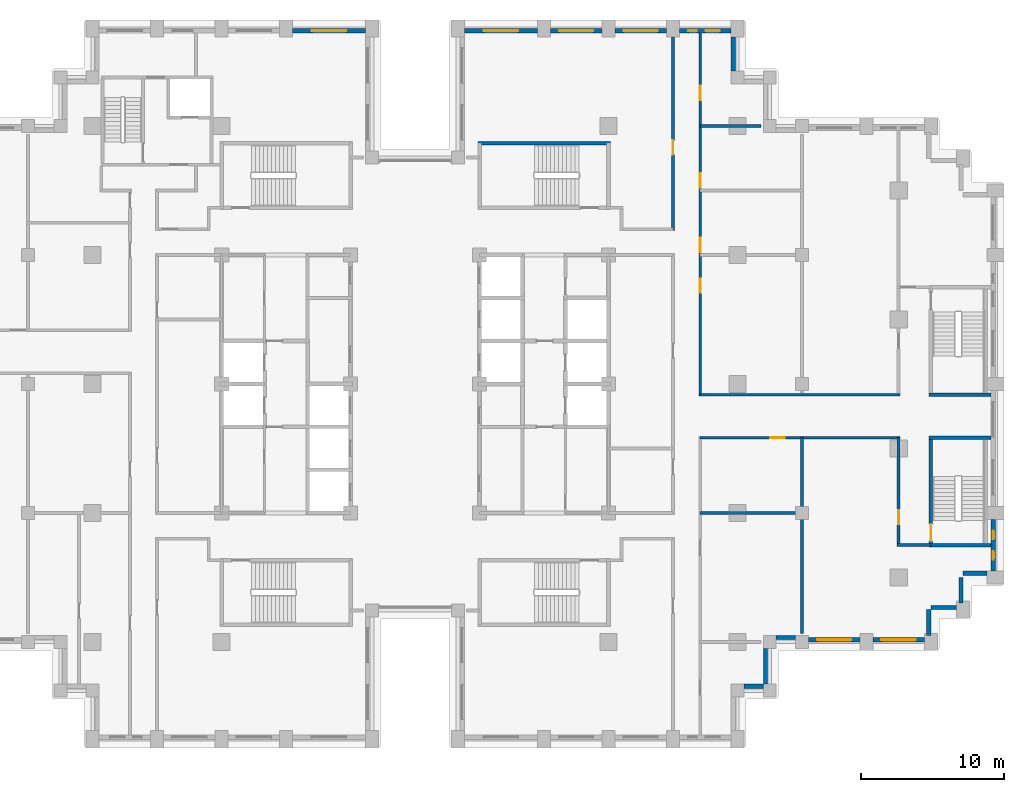
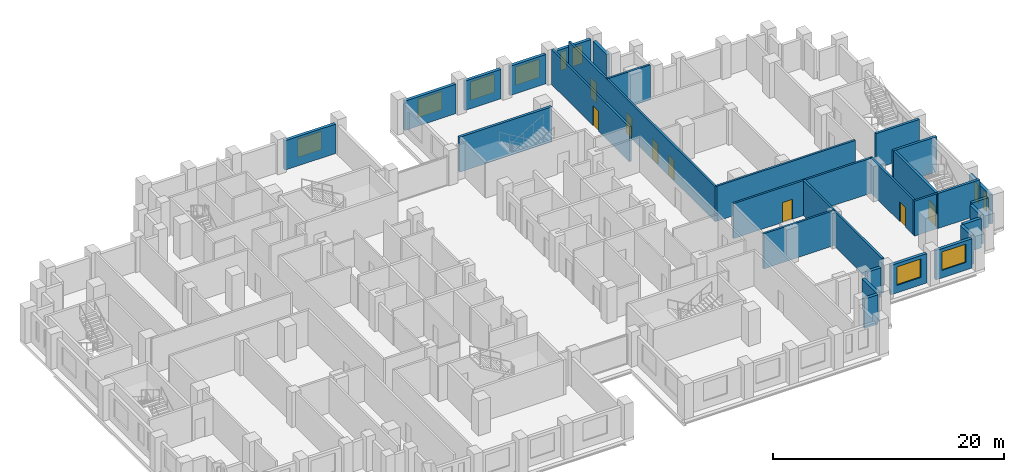
# One storey, part 11 of 15: 30 walls, 10 windows, 8 doors, 18 openings.
"""IFC4 building model written with IfcOpenShell, lengths in metres."""

import ifcopenshell
import ifcopenshell.guid

model = None  # the IFC model being written
_history = None  # IfcOwnerHistory: only IFC2X3 demands one
_inside = {}  # id of a spatial element -> (the spatial element, [elements in it])
_under = {}  # id of a project, library or spatial element -> (it, [spatial elements below it])
_declared = {}  # id of a project -> (the project, [libraries it declares])
_typed = {}  # id of a type object -> (the type object, [elements of that type])
_made_of = {}  # id of a material, layer set ... -> (it, [elements and type objects made of it])


def new_model(schema):
    """Start an empty IFC model of exactly this schema.

    Asked for "IFC4X3", IfcOpenShell would pick the latest addendum, in which some entities
    have other attributes; the version numbers below select the first issue.
    IFC2X3 requires an IfcOwnerHistory on every rooted entity: one is made here for all.
    """
    global model, _history
    if schema == "IFC4X3":
        model = ifcopenshell.file(schema_version=(4, 3, 0, 0))
    else:
        model = ifcopenshell.file(schema=schema)
    _inside.clear()
    _under.clear()
    _declared.clear()
    _typed.clear()
    _made_of.clear()
    _history = None
    if model.schema == "IFC2X3":
        org = make("IfcOrganization", Name="unknown")
        user = make(
            "IfcPersonAndOrganization",
            ThePerson=make("IfcPerson", FamilyName="unknown"),
            TheOrganization=org,
        )
        app = make(
            "IfcApplication",
            ApplicationDeveloper=org,
            Version="unknown",
            ApplicationFullName="unknown",
            ApplicationIdentifier="unknown",
        )
        _history = make(
            "IfcOwnerHistory",
            OwningUser=user,
            OwningApplication=app,
            ChangeAction="ADDED",
            CreationDate=0,
        )
    return model


def make(cls, **values):
    """One entity of the class cls with the attributes given. An attribute that is None is left unset."""
    return model.create_entity(
        cls, **{name: value for name, value in values.items() if value is not None}
    )


def rooted(cls, **values):
    """An entity with a GlobalId (a new one), such as an element, a storey or a relation."""
    return make(cls, GlobalId=ifcopenshell.guid.new(), OwnerHistory=_history, **values)


def si_unit(unit_type, name, prefix=None):
    """IfcSIUnit, for example si_unit("LENGTHUNIT", "METRE", prefix="MILLI")."""
    return make("IfcSIUnit", UnitType=unit_type, Prefix=prefix, Name=name)


def assignment(units):
    """IfcUnitAssignment: the units of a project."""
    return None if units is None else make("IfcUnitAssignment", Units=units)


def point(xyz):
    """IfcCartesianPoint."""
    return None if xyz is None else make("IfcCartesianPoint", Coordinates=xyz)


def direction(xyz):
    """IfcDirection."""
    return None if xyz is None else make("IfcDirection", DirectionRatios=xyz)


def frame(location, z_axis=None, x_axis=None):
    """IfcAxis2Placement3D, a coordinate frame: its origin and axes. An axis left out is left unset."""
    return make(
        "IfcAxis2Placement3D",
        Location=point(location),
        Axis=direction(z_axis),
        RefDirection=direction(x_axis),
    )


def frame_2d(location, x_axis=None):
    """IfcAxis2Placement2D, a coordinate frame in the plane: its origin and x axis."""
    return make(
        "IfcAxis2Placement2D", Location=point(location), RefDirection=direction(x_axis)
    )


def origin():
    """The frame at (0, 0, 0) with its axes left unset."""
    return frame((0.0, 0.0, 0.0))


def place(relative_to, where):
    """IfcLocalPlacement: puts the frame where relative to a parent placement (None: the world)."""
    return make(
        "IfcLocalPlacement", PlacementRelTo=relative_to, RelativePlacement=where
    )


def context(
    kind, dimensions, precision=None, world=None, true_north=None, identifier=None
):
    """IfcGeometricRepresentationContext, for example the 3D "Model" context."""
    return make(
        "IfcGeometricRepresentationContext",
        ContextIdentifier=identifier,
        ContextType=kind,
        CoordinateSpaceDimension=dimensions,
        Precision=precision,
        WorldCoordinateSystem=world,
        TrueNorth=true_north,
    )


def subcontext(parent, identifier, kind, view, scale=None):
    """IfcGeometricRepresentationSubContext, for example "Body" below "Model"."""
    return make(
        "IfcGeometricRepresentationSubContext",
        ContextIdentifier=identifier,
        ContextType=kind,
        ParentContext=parent,
        TargetScale=scale,
        TargetView=view,
    )


def project(units=None, contexts=None):
    """IfcProject with its units and contexts."""
    return rooted(
        "IfcProject",
        Name="project",
        RepresentationContexts=contexts,
        UnitsInContext=assignment(units),
    )


def spatial(cls, under=None, at=None, **own):
    """A site, building, storey or space (cls), placed at a placement, below another one or the project."""
    s = rooted(cls, ObjectPlacement=at, **own)
    if under is not None:
        _under.setdefault(under.id(), (under, []))[1].append(s)
    return s


def profile(cls, at=None, kind="AREA", **sizes):
    """A parametric profile (cls). Its sizes go by their IFC names, for example OverallWidth=200.0."""
    return make(cls, ProfileType=kind, Position=at, **sizes)


def rectangle(**sizes):
    """IfcRectangleProfileDef."""
    return profile("IfcRectangleProfileDef", **sizes)


def extrude(swept, where, along, depth):
    """IfcExtrudedAreaSolid: the profile swept, set in the frame where, extruded along a direction by depth."""
    return make(
        "IfcExtrudedAreaSolid",
        SweptArea=swept,
        Position=where,
        ExtrudedDirection=direction(along),
        Depth=depth,
    )


def shape(context_of_items, identifier, shape_type, items):
    """IfcShapeRepresentation: the items that make up one representation, for example the "Body"."""
    return make(
        "IfcShapeRepresentation",
        ContextOfItems=context_of_items,
        RepresentationIdentifier=identifier,
        RepresentationType=shape_type,
        Items=items,
    )


def material(Name=None, Category=None):
    """IfcMaterial."""
    return make("IfcMaterial", Name=Name, Category=Category)


def layer(
    of_material, thickness, ventilated=None, Name=None, Category=None, Priority=None
):
    """IfcMaterialLayer: one layer of a wall or slab, of a material (None: an air gap)."""
    return make(
        "IfcMaterialLayer",
        Material=of_material,
        LayerThickness=thickness,
        IsVentilated=ventilated,
        Name=Name,
        Category=Category,
        Priority=Priority,
    )


def layer_set(layers, Name=None):
    """IfcMaterialLayerSet."""
    return make("IfcMaterialLayerSet", MaterialLayers=layers, LayerSetName=Name)


def made_of(thing, what):
    """Note that an element or type object is made of a material, layer set ...; save() writes the relation."""
    if what is not None:
        _made_of.setdefault(what.id(), (what, []))[1].append(thing)
    return thing


def type_object(cls, material=None, **own):
    """A type object (cls), such as IfcWallType, which elements share."""
    return made_of(rooted(cls, **own), material)


def element(
    cls,
    number,
    at=None,
    inside=None,
    cuts=None,
    type_object=None,
    material=None,
    context=None,
    identifier="Body",
    shape_type=None,
    held_by="IfcProductDefinitionShape",
    body=None,
    shapes=None,
    **own,
):
    """One element of the class cls, such as IfcWall. Its Tag is "e" and its number.

    at: its placement. inside: the storey or other place that contains it. cuts: it is an
    opening in that element (IfcRelVoidsElement). A single representation is given by context,
    identifier, shape_type and body (its items); several are given by shapes. held_by: the class
    of the entity that holds the representations. save() writes the other relations.
    """
    e = rooted(cls, Tag="e%d" % number, ObjectPlacement=at, **own)
    if body is not None:
        shapes = [shape(context, identifier, shape_type, body)]
    if shapes is not None:
        e.Representation = make(held_by, Representations=shapes)
    if inside is not None:
        _inside.setdefault(inside.id(), (inside, []))[1].append(e)
    if cuts is not None:
        rooted(
            "IfcRelVoidsElement", RelatingBuildingElement=cuts, RelatedOpeningElement=e
        )
    if type_object is not None:
        _typed.setdefault(type_object.id(), (type_object, []))[1].append(e)
    return made_of(e, material)


def fill(opening, filler):
    """IfcRelFillsElement: the door or window that sits in an opening."""
    return rooted(
        "IfcRelFillsElement",
        RelatingOpeningElement=opening,
        RelatedBuildingElement=filler,
    )


def aggregate(whole, parts):
    """IfcRelAggregates: a whole, such as a stair, and the parts it consists of."""
    return rooted("IfcRelAggregates", RelatingObject=whole, RelatedObjects=parts)


def save(model, path):
    """Write the relations noted so far, then the file.

    IfcRelAggregates (storeys below a building ...), IfcRelContainedInSpatialStructure (elements
    in a storey), IfcRelDefinesByType, IfcRelAssociatesMaterial and IfcRelDeclares: one each for
    every whole, place, type object, material and project.
    """
    for whole, parts in _under.values():
        aggregate(whole, parts)
    for where, things in _inside.values():
        rooted(
            "IfcRelContainedInSpatialStructure",
            RelatedElements=things,
            RelatingStructure=where,
        )
    for kind, things in _typed.values():
        rooted("IfcRelDefinesByType", RelatedObjects=things, RelatingType=kind)
    for what, things in _made_of.values():
        rooted("IfcRelAssociatesMaterial", RelatedObjects=things, RelatingMaterial=what)
    for by, libraries in _declared.values():
        rooted("IfcRelDeclares", RelatingContext=by, RelatedDefinitions=libraries)
    model.write(path)


model = new_model("IFC4")

# Units and contexts
model_context = context("Model", 3, precision=1e-05, world=origin(), true_north=direction((0.0, 1.0)))
body_context = subcontext(model_context, "Body", "Model", "MODEL_VIEW")
ifc_project = project(units=[si_unit("LENGTHUNIT", "METRE"), si_unit("AREAUNIT", "SQUARE_METRE"), si_unit("VOLUMEUNIT", "CUBIC_METRE"), si_unit("PLANEANGLEUNIT", "RADIAN"), si_unit("MASSUNIT", "GRAM", prefix="KILO")], contexts=[model_context])

# Site, building, storey
site_placement = place(None, origin())
site = spatial("IfcSite", under=ifc_project, at=site_placement, CompositionType="ELEMENT")
building_placement = place(site_placement, origin())
building = spatial("IfcBuilding", under=site, at=building_placement, Name="Corbelhall Arena Tower", CompositionType="ELEMENT")
storey_placement = place(building_placement, frame((0.0, 0.0, 96.0)))
storey = spatial("IfcBuildingStorey", under=building, at=storey_placement, Name="L16", CompositionType="ELEMENT", Elevation=96.0)

# Walls
ifc_material_1 = material(Name="Precast concrete C40/50 with granite facing", Category="masonry")
ifc_layer_1 = layer(ifc_material_1, 0.300048828125)
ifc_layer_set_1 = layer_set([ifc_layer_1], Name="EV-IW1 Infill panel 300")
wall_type_1 = type_object("IfcWallType", Name="EV-IW1 Infill panel 300", PredefinedType="SOLIDWALL", material=ifc_layer_set_1)
for number, where, z_axis, x_axis, name in (
    (1, (35.85009765625, -17.550048828125, 0.0), (0.0, 0.0, 1.0), (0.0, 1.0, 0.0), "Infill panel IW1"),
    (2, (37.800048828125, -15.60009765625, 0.0), (0.0, 0.0, 1.0), (-1.0, 0.0, 0.0), "Infill panel IW1"),
    (3, (38.10009765625, -15.300048828125, 0.0), (0.0, 0.0, 1.0), (0.0, 1.0, 0.0), "Infill panel IW1"),
):
    element("IfcWall", number, at=place(storey_placement, frame(where, z_axis=z_axis, x_axis=x_axis)), inside=storey, type_object=wall_type_1, Name=name, PredefinedType="SOLIDWALL", context=body_context, shape_type="SweptSolid", body=[
        extrude(rectangle(XDim=1.800048828125, YDim=0.300048828125, at=frame_2d((0.89990234375, 0.0))), origin(), (0.0, 0.0, 1.0), 3.10009765625),
    ])
wall_1_placement = place(storey_placement, frame((39.89990234375, -13.199951171875, 0.0), z_axis=(0.0, 0.0, 1.0), x_axis=(-1.0, 0.0, 0.0)))
element("IfcWall", 4, at=wall_1_placement, inside=storey, type_object=wall_type_1, Name="Infill panel IW1", PredefinedType="SOLIDWALL", context=body_context, shape_type="SweptSolid", body=[
    extrude(rectangle(XDim=1.64990234375, YDim=0.300048828125, at=frame_2d((0.824951171875, 0.0))), origin(), (0.0, 0.0, 1.0), 3.10009765625),
])
wall_2_placement = place(storey_placement, frame((22.949951171875, -21.10009765625, 0.0), z_axis=(0.0, 0.0, 1.0), x_axis=(1.0, 0.0, 0.0)))
element("IfcWall", 5, at=wall_2_placement, inside=storey, type_object=wall_type_1, Name="Infill panel IW1", PredefinedType="SOLIDWALL", context=body_context, shape_type="SweptSolid", body=[
    extrude(rectangle(XDim=1.35009765625, YDim=0.300048828125, at=frame_2d((0.675048828125, 0.0))), origin(), (0.0, 0.0, 1.0), 3.10009765625),
])
wall_3_placement = place(storey_placement, frame((24.449951171875, -20.949951171875, 0.0), z_axis=(0.0, 0.0, 1.0), x_axis=(0.0, 1.0, 0.0)))
element("IfcWall", 6, at=wall_3_placement, inside=storey, type_object=wall_type_1, Name="Infill panel IW1", PredefinedType="SOLIDWALL", context=body_context, shape_type="SweptSolid", body=[
    extrude(rectangle(XDim=2.5, YDim=0.300048828125, at=frame_2d((1.25, 0.0))), origin(), (0.0, 0.0, 1.0), 3.10009765625),
])
wall_4_placement = place(storey_placement, frame((25.199951171875, -17.699951171875, 0.0), z_axis=(0.0, 0.0, 1.0), x_axis=(1.0, 0.0, 0.0)))
element("IfcWall", 7, at=wall_4_placement, inside=storey, type_object=wall_type_1, Name="Infill panel IW1", PredefinedType="SOLIDWALL", context=body_context, shape_type="SweptSolid", body=[
    extrude(rectangle(XDim=1.35009765625, YDim=0.300048828125, at=frame_2d((0.675048828125, 0.0))), origin(), (0.0, 0.0, 1.0), 3.10009765625),
])

# Wall, opening, window
wall_5_placement = place(storey_placement, frame((27.449951171875, -17.85009765625, 0.0), z_axis=(0.0, 0.0, 1.0), x_axis=(1.0, 0.0, 0.0)))
wall_5 = element("IfcWall", 8, at=wall_5_placement, inside=storey, type_object=wall_type_1, Name="Infill panel IW1", PredefinedType="SOLIDWALL", context=body_context, shape_type="SweptSolid", body=[
    extrude(rectangle(XDim=3.60009765625, YDim=0.300048828125, at=frame_2d((1.800048828125, 0.0))), origin(), (0.0, 0.0, 1.0), 3.10009765625),
])
opening_1_placement = place(wall_5_placement, frame((0.60009765625, 0.0, 0.800048828125)))
opening_1 = element("IfcOpeningElement", 9, at=opening_1_placement, cuts=wall_5, Name="Opening WN1", PredefinedType="OPENING", context=body_context, shape_type="SweptSolid", body=[
    extrude(rectangle(XDim=2.39990234375, YDim=1.949951171875, at=frame_2d((1.199951171875, 0.97509765625))), frame((0.0, 0.14990234375, 0.0), z_axis=(0.0, -1.0, 0.0), x_axis=(1.0, 0.0, 0.0)), (0.0, 0.0, 1.0), 0.300048828125),
])
ifc_material_2 = material(Name="Aluminium black anodised", Category="aluminium")
window_type_1 = type_object("IfcWindowType", Name="EV-WN1 Office window", PartitioningType="SINGLE_PANEL", PredefinedType="WINDOW", material=ifc_material_2)
window_1_placement = place(opening_1_placement, origin())
window_1 = element("IfcWindow", 10, at=window_1_placement, inside=storey, type_object=window_type_1, Name="Window WN1", OverallHeight=1.949951171875, OverallWidth=2.39990234375, PartitioningType="SINGLE_PANEL", PredefinedType="WINDOW", context=body_context, shape_type="SweptSolid", body=[
    extrude(rectangle(XDim=2.39990234375, YDim=1.949951171875, at=frame_2d((1.199951171875, 0.97509765625))), frame((0.0, 0.030029296875, 0.0), z_axis=(0.0, -1.0, 0.0), x_axis=(1.0, 0.0, 0.0)), (0.0, 0.0, 1.0), 0.06005859375),
])
fill(opening_1, window_1)

wall_6_placement = place(storey_placement, frame((31.949951171875, -17.85009765625, 0.0), z_axis=(0.0, 0.0, 1.0), x_axis=(1.0, 0.0, 0.0)))
wall_6 = element("IfcWall", 11, at=wall_6_placement, inside=storey, type_object=wall_type_1, Name="Infill panel IW1", PredefinedType="SOLIDWALL", context=body_context, shape_type="SweptSolid", body=[
    extrude(rectangle(XDim=3.60009765625, YDim=0.300048828125, at=frame_2d((1.800048828125, 0.0))), origin(), (0.0, 0.0, 1.0), 3.10009765625),
])
opening_2_placement = place(wall_6_placement, frame((0.60009765625, 0.0, 0.800048828125)))
opening_2 = element("IfcOpeningElement", 12, at=opening_2_placement, cuts=wall_6, Name="Opening WN1", PredefinedType="OPENING", context=body_context, shape_type="SweptSolid", body=[
    extrude(rectangle(XDim=2.39990234375, YDim=1.949951171875, at=frame_2d((1.199951171875, 0.97509765625))), frame((0.0, 0.14990234375, 0.0), z_axis=(0.0, -1.0, 0.0), x_axis=(1.0, 0.0, 0.0)), (0.0, 0.0, 1.0), 0.300048828125),
])
window_2_placement = place(opening_2_placement, origin())
window_2 = element("IfcWindow", 13, at=window_2_placement, inside=storey, type_object=window_type_1, Name="Window WN1", OverallHeight=1.949951171875, OverallWidth=2.39990234375, PartitioningType="SINGLE_PANEL", PredefinedType="WINDOW", context=body_context, shape_type="SweptSolid", body=[
    extrude(rectangle(XDim=2.39990234375, YDim=1.949951171875, at=frame_2d((1.199951171875, 0.97509765625))), frame((0.0, 0.030029296875, 0.0), z_axis=(0.0, -1.0, 0.0), x_axis=(1.0, 0.0, 0.0)), (0.0, 0.0, 1.0), 0.06005859375),
])
fill(opening_2, window_2)

# Wall, openings, windows
wall_7_placement = place(storey_placement, frame((40.35009765625, -13.050048828125, 0.0), z_axis=(0.0, 0.0, 1.0), x_axis=(0.0, 1.0, 0.0)))
wall_7 = element("IfcWall", 14, at=wall_7_placement, inside=storey, type_object=wall_type_1, Name="Infill panel IW1", PredefinedType="SOLIDWALL", context=body_context, shape_type="SweptSolid", body=[
    extrude(rectangle(XDim=3.60009765625, YDim=0.300048828125, at=frame_2d((1.800048828125, 0.0))), origin(), (0.0, 0.0, 1.0), 3.10009765625),
])
opening_3_placement = place(wall_7_placement, frame((0.78759765625, 0.0, 0.800048828125)))
opening_3 = element("IfcOpeningElement", 15, at=opening_3_placement, cuts=wall_7, Name="Opening WN5", PredefinedType="OPENING", context=body_context, shape_type="SweptSolid", body=[
    extrude(rectangle(XDim=0.60009765625, YDim=1.949951171875, at=frame_2d((0.300048828125, 0.97509765625))), frame((0.0, 0.14990234375, 0.0), z_axis=(0.0, -1.0, 0.0), x_axis=(1.0, 0.0, 0.0)), (0.0, 0.0, 1.0), 0.300048828125),
])
opening_4_placement = place(wall_7_placement, frame((2.21240234375, 0.0, 0.800048828125)))
opening_4 = element("IfcOpeningElement", 16, at=opening_4_placement, cuts=wall_7, Name="Opening WN5", PredefinedType="OPENING", context=body_context, shape_type="SweptSolid", body=[
    extrude(rectangle(XDim=0.60009765625, YDim=1.949951171875, at=frame_2d((0.300048828125, 0.97509765625))), frame((0.0, 0.14990234375, 0.0), z_axis=(0.0, -1.0, 0.0), x_axis=(1.0, 0.0, 0.0)), (0.0, 0.0, 1.0), 0.300048828125),
])
window_type_2 = type_object("IfcWindowType", Name="EV-WN5 Office window 600", PartitioningType="SINGLE_PANEL", PredefinedType="WINDOW", material=ifc_material_2)
window_3_placement = place(opening_3_placement, origin())
window_3 = element("IfcWindow", 17, at=window_3_placement, inside=storey, type_object=window_type_2, Name="Window WN5", OverallHeight=1.949951171875, OverallWidth=0.60009765625, PartitioningType="SINGLE_PANEL", PredefinedType="WINDOW", context=body_context, shape_type="SweptSolid", body=[
    extrude(rectangle(XDim=0.60009765625, YDim=1.949951171875, at=frame_2d((0.300048828125, 0.97509765625))), frame((0.0, 0.030029296875, 0.0), z_axis=(0.0, -1.0, 0.0), x_axis=(1.0, 0.0, 0.0)), (0.0, 0.0, 1.0), 0.06005859375),
])
fill(opening_3, window_3)
window_4_placement = place(opening_4_placement, origin())
window_4 = element("IfcWindow", 18, at=window_4_placement, inside=storey, type_object=window_type_2, Name="Window WN5", OverallHeight=1.949951171875, OverallWidth=0.60009765625, PartitioningType="SINGLE_PANEL", PredefinedType="WINDOW", context=body_context, shape_type="SweptSolid", body=[
    extrude(rectangle(XDim=0.60009765625, YDim=1.949951171875, at=frame_2d((0.300048828125, 0.97509765625))), frame((0.0, 0.030029296875, 0.0), z_axis=(0.0, -1.0, 0.0), x_axis=(1.0, 0.0, 0.0)), (0.0, 0.0, 1.0), 0.06005859375),
])
fill(opening_4, window_4)

# Wall
wall_8_placement = place(storey_placement, frame((22.199951171875, 21.85009765625, 0.0), z_axis=(0.0, 0.0, 1.0), x_axis=(0.0, 1.0, 0.0)))
element("IfcWall", 19, at=wall_8_placement, inside=storey, type_object=wall_type_1, Name="Infill panel IW1", PredefinedType="SOLIDWALL", context=body_context, shape_type="SweptSolid", body=[
    extrude(rectangle(XDim=2.349853515625, YDim=0.300048828125, at=frame_2d((1.1748046875, 0.0))), origin(), (0.0, 0.0, 1.0), 3.10009765625),
])

# Wall, openings, windows
wall_9_placement = place(storey_placement, frame((22.050048828125, 24.64990234375, 0.0), z_axis=(0.0, 0.0, 1.0), x_axis=(-1.0, 0.0, 0.0)))
wall_9 = element("IfcWall", 20, at=wall_9_placement, inside=storey, type_object=wall_type_1, Name="Infill panel IW1", PredefinedType="SOLIDWALL", context=body_context, shape_type="SweptSolid", body=[
    extrude(rectangle(XDim=3.60009765625, YDim=0.300048828125, at=frame_2d((1.800048828125, 0.0))), origin(), (0.0, 0.0, 1.0), 3.10009765625),
])
opening_5_placement = place(wall_9_placement, frame((0.77490234375, 0.0, 0.800048828125)))
opening_5 = element("IfcOpeningElement", 21, at=opening_5_placement, cuts=wall_9, Name="Opening WN6", PredefinedType="OPENING", context=body_context, shape_type="SweptSolid", body=[
    extrude(rectangle(XDim=1.0, YDim=1.949951171875, at=frame_2d((0.5, 0.97509765625))), frame((0.0, 0.14990234375, 0.0), z_axis=(0.0, -1.0, 0.0), x_axis=(1.0, 0.0, 0.0)), (0.0, 0.0, 1.0), 0.300048828125),
])
opening_6_placement = place(wall_9_placement, frame((2.375, 0.0, 0.800048828125)))
opening_6 = element("IfcOpeningElement", 22, at=opening_6_placement, cuts=wall_9, Name="Opening WN5", PredefinedType="OPENING", context=body_context, shape_type="SweptSolid", body=[
    extrude(rectangle(XDim=0.60009765625, YDim=1.949951171875, at=frame_2d((0.300048828125, 0.97509765625))), frame((0.0, 0.14990234375, 0.0), z_axis=(0.0, -1.0, 0.0), x_axis=(1.0, 0.0, 0.0)), (0.0, 0.0, 1.0), 0.300048828125),
])
window_5_placement = place(opening_6_placement, origin())
window_5 = element("IfcWindow", 23, at=window_5_placement, inside=storey, type_object=window_type_2, Name="Window WN5", OverallHeight=1.949951171875, OverallWidth=0.60009765625, PartitioningType="SINGLE_PANEL", PredefinedType="WINDOW", context=body_context, shape_type="SweptSolid", body=[
    extrude(rectangle(XDim=0.60009765625, YDim=1.949951171875, at=frame_2d((0.300048828125, 0.97509765625))), frame((0.0, 0.030029296875, 0.0), z_axis=(0.0, -1.0, 0.0), x_axis=(1.0, 0.0, 0.0)), (0.0, 0.0, 1.0), 0.06005859375),
])
fill(opening_6, window_5)
window_type_3 = type_object("IfcWindowType", Name="EV-WN6 Office window 1000", PartitioningType="SINGLE_PANEL", PredefinedType="WINDOW", material=ifc_material_2)
window_6_placement = place(opening_5_placement, origin())
window_6 = element("IfcWindow", 24, at=window_6_placement, inside=storey, type_object=window_type_3, Name="Window WN6", OverallHeight=1.949951171875, OverallWidth=1.0, PartitioningType="SINGLE_PANEL", PredefinedType="WINDOW", context=body_context, shape_type="SweptSolid", body=[
    extrude(rectangle(XDim=1.0, YDim=1.949951171875, at=frame_2d((0.5, 0.97509765625))), frame((0.0, 0.030029296875, 0.0), z_axis=(0.0, -1.0, 0.0), x_axis=(1.0, 0.0, 0.0)), (0.0, 0.0, 1.0), 0.06005859375),
])
fill(opening_5, window_6)

# Wall, opening, window
wall_10_placement = place(storey_placement, frame((17.550048828125, 24.64990234375, 0.0), z_axis=(0.0, 0.0, 1.0), x_axis=(-1.0, 0.0, 0.0)))
wall_10 = element("IfcWall", 25, at=wall_10_placement, inside=storey, type_object=wall_type_1, Name="Infill panel IW1", PredefinedType="SOLIDWALL", context=body_context, shape_type="SweptSolid", body=[
    extrude(rectangle(XDim=3.60009765625, YDim=0.300048828125, at=frame_2d((1.800048828125, 0.0))), origin(), (0.0, 0.0, 1.0), 3.10009765625),
])
opening_7_placement = place(wall_10_placement, frame((0.60009765625, 0.0, 0.800048828125)))
opening_7 = element("IfcOpeningElement", 26, at=opening_7_placement, cuts=wall_10, Name="Opening WN1", PredefinedType="OPENING", context=body_context, shape_type="SweptSolid", body=[
    extrude(rectangle(XDim=2.39990234375, YDim=1.949951171875, at=frame_2d((1.199951171875, 0.97509765625))), frame((0.0, 0.14990234375, 0.0), z_axis=(0.0, -1.0, 0.0), x_axis=(1.0, 0.0, 0.0)), (0.0, 0.0, 1.0), 0.300048828125),
])
window_7_placement = place(opening_7_placement, origin())
window_7 = element("IfcWindow", 27, at=window_7_placement, inside=storey, type_object=window_type_1, Name="Window WN1", OverallHeight=1.949951171875, OverallWidth=2.39990234375, PartitioningType="SINGLE_PANEL", PredefinedType="WINDOW", context=body_context, shape_type="SweptSolid", body=[
    extrude(rectangle(XDim=2.39990234375, YDim=1.949951171875, at=frame_2d((1.199951171875, 0.97509765625))), frame((0.0, 0.030029296875, 0.0), z_axis=(0.0, -1.0, 0.0), x_axis=(1.0, 0.0, 0.0)), (0.0, 0.0, 1.0), 0.06005859375),
])
fill(opening_7, window_7)

wall_11_placement = place(storey_placement, frame((13.050048828125, 24.64990234375, 0.0), z_axis=(0.0, 0.0, 1.0), x_axis=(-1.0, 0.0, 0.0)))
wall_11 = element("IfcWall", 28, at=wall_11_placement, inside=storey, type_object=wall_type_1, Name="Infill panel IW1", PredefinedType="SOLIDWALL", context=body_context, shape_type="SweptSolid", body=[
    extrude(rectangle(XDim=3.60009765625, YDim=0.300048828125, at=frame_2d((1.800048828125, 0.0))), origin(), (0.0, 0.0, 1.0), 3.10009765625),
])
opening_8_placement = place(wall_11_placement, frame((0.60009765625, 0.0, 0.800048828125)))
opening_8 = element("IfcOpeningElement", 29, at=opening_8_placement, cuts=wall_11, Name="Opening WN1", PredefinedType="OPENING", context=body_context, shape_type="SweptSolid", body=[
    extrude(rectangle(XDim=2.39990234375, YDim=1.949951171875, at=frame_2d((1.199951171875, 0.97509765625))), frame((0.0, 0.14990234375, 0.0), z_axis=(0.0, -1.0, 0.0), x_axis=(1.0, 0.0, 0.0)), (0.0, 0.0, 1.0), 0.300048828125),
])
window_8_placement = place(opening_8_placement, origin())
window_8 = element("IfcWindow", 30, at=window_8_placement, inside=storey, type_object=window_type_1, Name="Window WN1", OverallHeight=1.949951171875, OverallWidth=2.39990234375, PartitioningType="SINGLE_PANEL", PredefinedType="WINDOW", context=body_context, shape_type="SweptSolid", body=[
    extrude(rectangle(XDim=2.39990234375, YDim=1.949951171875, at=frame_2d((1.199951171875, 0.97509765625))), frame((0.0, 0.030029296875, 0.0), z_axis=(0.0, -1.0, 0.0), x_axis=(1.0, 0.0, 0.0)), (0.0, 0.0, 1.0), 0.06005859375),
])
fill(opening_8, window_8)

wall_12_placement = place(storey_placement, frame((8.550048828125, 24.64990234375, 0.0), z_axis=(0.0, 0.0, 1.0), x_axis=(-1.0, 0.0, 0.0)))
wall_12 = element("IfcWall", 31, at=wall_12_placement, inside=storey, type_object=wall_type_1, Name="Infill panel IW1", PredefinedType="SOLIDWALL", context=body_context, shape_type="SweptSolid", body=[
    extrude(rectangle(XDim=5.10009765625, YDim=0.300048828125, at=frame_2d((2.550048828125, 0.0))), origin(), (0.0, 0.0, 1.0), 3.10009765625),
])
opening_9_placement = place(wall_12_placement, frame((1.35009765625, 0.0, 0.800048828125)))
opening_9 = element("IfcOpeningElement", 32, at=opening_9_placement, cuts=wall_12, Name="Opening WN1", PredefinedType="OPENING", context=body_context, shape_type="SweptSolid", body=[
    extrude(rectangle(XDim=2.39990234375, YDim=1.949951171875, at=frame_2d((1.199951171875, 0.97509765625))), frame((0.0, 0.14990234375, 0.0), z_axis=(0.0, -1.0, 0.0), x_axis=(1.0, 0.0, 0.0)), (0.0, 0.0, 1.0), 0.300048828125),
])
window_9_placement = place(opening_9_placement, origin())
window_9 = element("IfcWindow", 33, at=window_9_placement, inside=storey, type_object=window_type_1, Name="Window WN1", OverallHeight=1.949951171875, OverallWidth=2.39990234375, PartitioningType="SINGLE_PANEL", PredefinedType="WINDOW", context=body_context, shape_type="SweptSolid", body=[
    extrude(rectangle(XDim=2.39990234375, YDim=1.949951171875, at=frame_2d((1.199951171875, 0.97509765625))), frame((0.0, 0.030029296875, 0.0), z_axis=(0.0, -1.0, 0.0), x_axis=(1.0, 0.0, 0.0)), (0.0, 0.0, 1.0), 0.06005859375),
])
fill(opening_9, window_9)

wall_13_placement = place(storey_placement, frame((-3.449951171875, 24.64990234375, 0.0), z_axis=(0.0, 0.0, 1.0), x_axis=(-1.0, 0.0, 0.0)))
wall_13 = element("IfcWall", 34, at=wall_13_placement, inside=storey, type_object=wall_type_1, Name="Infill panel IW1", PredefinedType="SOLIDWALL", context=body_context, shape_type="SweptSolid", body=[
    extrude(rectangle(XDim=5.10009765625, YDim=0.300048828125, at=frame_2d((2.550048828125, 0.0))), origin(), (0.0, 0.0, 1.0), 3.10009765625),
])
opening_10_placement = place(wall_13_placement, frame((1.35009765625, 0.0, 0.800048828125)))
opening_10 = element("IfcOpeningElement", 35, at=opening_10_placement, cuts=wall_13, Name="Opening WN1", PredefinedType="OPENING", context=body_context, shape_type="SweptSolid", body=[
    extrude(rectangle(XDim=2.39990234375, YDim=1.949951171875, at=frame_2d((1.199951171875, 0.97509765625))), frame((0.0, 0.14990234375, 0.0), z_axis=(0.0, -1.0, 0.0), x_axis=(1.0, 0.0, 0.0)), (0.0, 0.0, 1.0), 0.300048828125),
])
window_10_placement = place(opening_10_placement, origin())
window_10 = element("IfcWindow", 36, at=window_10_placement, inside=storey, type_object=window_type_1, Name="Window WN1", OverallHeight=1.949951171875, OverallWidth=2.39990234375, PartitioningType="SINGLE_PANEL", PredefinedType="WINDOW", context=body_context, shape_type="SweptSolid", body=[
    extrude(rectangle(XDim=2.39990234375, YDim=1.949951171875, at=frame_2d((1.199951171875, 0.97509765625))), frame((0.0, 0.030029296875, 0.0), z_axis=(0.0, -1.0, 0.0), x_axis=(1.0, 0.0, 0.0)), (0.0, 0.0, 1.0), 0.06005859375),
])
fill(opening_10, window_10)

# Wall, opening, door
ifc_material_3 = material(Name="Gypsum board on steel stud, acoustic", Category="steel")
ifc_layer_2 = layer(ifc_material_3, 0.199951171875)
ifc_layer_set_2 = layer_set([ifc_layer_2], Name="IN-W-DM200")
wall_type_2 = type_object("IfcWallType", Name="IN-W-DM200", PredefinedType="PARTITIONING", material=ifc_layer_set_2)
wall_14_placement = place(storey_placement, frame((18.0, 10.699951171875, 0.0), z_axis=(0.0, 0.0, 1.0), x_axis=(0.0, 1.0, 0.0)))
wall_14 = element("IfcWall", 37, at=wall_14_placement, inside=storey, type_object=wall_type_2, Name="Partition 047", PredefinedType="PARTITIONING", context=body_context, shape_type="SweptSolid", body=[
    extrude(rectangle(XDim=13.5, YDim=0.199951171875, at=frame_2d((6.75, 0.0))), origin(), (0.0, 0.0, 1.0), 3.699951171875),
])
opening_11_placement = place(wall_14_placement, frame((5.300048828125, 0.0, 0.0)))
opening_11 = element("IfcOpeningElement", 38, at=opening_11_placement, cuts=wall_14, Name="Opening 03026", PredefinedType="OPENING", context=body_context, shape_type="SweptSolid", body=[
    extrude(rectangle(XDim=1.0, YDim=2.10009765625, at=frame_2d((0.5, 1.050048828125))), frame((0.0, 0.10009765625, 0.0), z_axis=(0.0, -1.0, 0.0), x_axis=(1.0, 0.0, 0.0)), (0.0, 0.0, 1.0), 0.199951171875),
])
ifc_material_4 = material(Name="Steel door set", Category="steel")
door_type_1 = type_object("IfcDoorType", Name="IN-D-SW100", OperationType="NOTDEFINED", PredefinedType="DOOR", material=ifc_material_4)
door_1_placement = place(opening_11_placement, origin())
door_1 = element("IfcDoor", 39, at=door_1_placement, inside=storey, type_object=door_type_1, Name="Door 026", OperationType="SINGLE_SWING_LEFT", OverallHeight=2.10009765625, OverallWidth=1.0, PredefinedType="DOOR", context=body_context, shape_type="SweptSolid", body=[
    extrude(rectangle(XDim=1.0, YDim=2.10009765625, at=frame_2d((0.5, 1.050048828125))), frame((0.0, 0.02490234375, 0.0), z_axis=(0.0, -1.0, 0.0), x_axis=(1.0, 0.0, 0.0)), (0.0, 0.0, 1.0), 0.050048828125),
])
fill(opening_11, door_1)

# Walls
wall_15_placement = place(storey_placement, frame((19.89990234375, -9.0, 0.0), z_axis=(0.0, 0.0, 1.0), x_axis=(1.0, 0.0, 0.0)))
element("IfcWall", 40, at=wall_15_placement, inside=storey, type_object=wall_type_2, Name="Partition 050", PredefinedType="PARTITIONING", context=body_context, shape_type="SweptSolid", body=[
    extrude(rectangle(XDim=7.2001953125, YDim=0.199951171875, at=frame_2d((3.60009765625, 0.0))), origin(), (0.0, 0.0, 1.0), 3.699951171875),
])
wall_16_placement = place(storey_placement, frame((19.89990234375, -0.75, 0.0), z_axis=(0.0, 0.0, 1.0), x_axis=(1.0, 0.0, 0.0)))
element("IfcWall", 41, at=wall_16_placement, inside=storey, type_object=wall_type_2, Name="Partition 051", PredefinedType="PARTITIONING", context=body_context, shape_type="SweptSolid", body=[
    extrude(rectangle(XDim=13.9501953125, YDim=0.199951171875, at=frame_2d((6.97509765625, 0.0))), origin(), (0.0, 0.0, 1.0), 3.699951171875),
])

# Wall, openings, doors
wall_17_placement = place(storey_placement, frame((19.89990234375, 24.5, 0.0), z_axis=(0.0, 0.0, 1.0), x_axis=(0.0, -1.0, 0.0)))
wall_17 = element("IfcWall", 42, at=wall_17_placement, inside=storey, type_object=wall_type_2, Name="Partition 053", PredefinedType="PARTITIONING", context=body_context, shape_type="SweptSolid", body=[
    extrude(rectangle(XDim=25.35009765625, YDim=0.199951171875, at=frame_2d((12.675048828125, 0.0))), origin(), (0.0, 0.0, 1.0), 3.699951171875),
])
opening_12_placement = place(wall_17_placement, frame((17.14990234375, 0.0, 0.0)))
opening_12 = element("IfcOpeningElement", 43, at=opening_12_placement, cuts=wall_17, Name="Opening 03034", PredefinedType="OPENING", context=body_context, shape_type="SweptSolid", body=[
    extrude(rectangle(XDim=1.0, YDim=2.10009765625, at=frame_2d((0.5, 1.050048828125))), frame((0.0, 0.10009765625, 0.0), z_axis=(0.0, -1.0, 0.0), x_axis=(1.0, 0.0, 0.0)), (0.0, 0.0, 1.0), 0.199951171875),
])
opening_13_placement = place(wall_17_placement, frame((14.300048828125, 0.0, 0.0)))
opening_13 = element("IfcOpeningElement", 44, at=opening_13_placement, cuts=wall_17, Name="Opening 03035", PredefinedType="OPENING", context=body_context, shape_type="SweptSolid", body=[
    extrude(rectangle(XDim=1.0, YDim=2.10009765625, at=frame_2d((0.5, 1.050048828125))), frame((0.0, 0.10009765625, 0.0), z_axis=(0.0, -1.0, 0.0), x_axis=(1.0, 0.0, 0.0)), (0.0, 0.0, 1.0), 0.199951171875),
])
opening_14_placement = place(wall_17_placement, frame((9.800048828125, 0.0, 0.0)))
opening_14 = element("IfcOpeningElement", 45, at=opening_14_placement, cuts=wall_17, Name="Opening 03036", PredefinedType="OPENING", context=body_context, shape_type="SweptSolid", body=[
    extrude(rectangle(XDim=1.0, YDim=2.10009765625, at=frame_2d((0.5, 1.050048828125))), frame((0.0, 0.10009765625, 0.0), z_axis=(0.0, -1.0, 0.0), x_axis=(1.0, 0.0, 0.0)), (0.0, 0.0, 1.0), 0.199951171875),
])
opening_15_placement = place(wall_17_placement, frame((3.699951171875, 0.0, 0.0)))
opening_15 = element("IfcOpeningElement", 46, at=opening_15_placement, cuts=wall_17, Name="Opening 03037", PredefinedType="OPENING", context=body_context, shape_type="SweptSolid", body=[
    extrude(rectangle(XDim=1.0, YDim=2.10009765625, at=frame_2d((0.5, 1.050048828125))), frame((0.0, 0.10009765625, 0.0), z_axis=(0.0, -1.0, 0.0), x_axis=(1.0, 0.0, 0.0)), (0.0, 0.0, 1.0), 0.199951171875),
])
door_2_placement = place(opening_12_placement, origin())
door_2 = element("IfcDoor", 47, at=door_2_placement, inside=storey, type_object=door_type_1, Name="Door 034", OperationType="SINGLE_SWING_LEFT", OverallHeight=2.10009765625, OverallWidth=1.0, PredefinedType="DOOR", context=body_context, shape_type="SweptSolid", body=[
    extrude(rectangle(XDim=1.0, YDim=2.10009765625, at=frame_2d((0.5, 1.050048828125))), frame((0.0, 0.02490234375, 0.0), z_axis=(0.0, -1.0, 0.0), x_axis=(1.0, 0.0, 0.0)), (0.0, 0.0, 1.0), 0.050048828125),
])
fill(opening_12, door_2)
door_3_placement = place(opening_13_placement, origin())
door_3 = element("IfcDoor", 48, at=door_3_placement, inside=storey, type_object=door_type_1, Name="Door 035", OperationType="SINGLE_SWING_RIGHT", OverallHeight=2.10009765625, OverallWidth=1.0, PredefinedType="DOOR", context=body_context, shape_type="SweptSolid", body=[
    extrude(rectangle(XDim=1.0, YDim=2.10009765625, at=frame_2d((0.5, 1.050048828125))), frame((0.0, 0.02490234375, 0.0), z_axis=(0.0, -1.0, 0.0), x_axis=(1.0, 0.0, 0.0)), (0.0, 0.0, 1.0), 0.050048828125),
])
fill(opening_13, door_3)
door_4_placement = place(opening_14_placement, origin())
door_4 = element("IfcDoor", 49, at=door_4_placement, inside=storey, type_object=door_type_1, Name="Door 036", OperationType="SINGLE_SWING_LEFT", OverallHeight=2.10009765625, OverallWidth=1.0, PredefinedType="DOOR", context=body_context, shape_type="SweptSolid", body=[
    extrude(rectangle(XDim=1.0, YDim=2.10009765625, at=frame_2d((0.5, 1.050048828125))), frame((0.0, 0.02490234375, 0.0), z_axis=(0.0, -1.0, 0.0), x_axis=(1.0, 0.0, 0.0)), (0.0, 0.0, 1.0), 0.050048828125),
])
fill(opening_14, door_4)
door_5_placement = place(opening_15_placement, origin())
door_5 = element("IfcDoor", 50, at=door_5_placement, inside=storey, type_object=door_type_1, Name="Door 037", OperationType="SINGLE_SWING_RIGHT", OverallHeight=2.10009765625, OverallWidth=1.0, PredefinedType="DOOR", context=body_context, shape_type="SweptSolid", body=[
    extrude(rectangle(XDim=1.0, YDim=2.10009765625, at=frame_2d((0.5, 1.050048828125))), frame((0.0, 0.02490234375, 0.0), z_axis=(0.0, -1.0, 0.0), x_axis=(1.0, 0.0, 0.0)), (0.0, 0.0, 1.0), 0.050048828125),
])
fill(opening_15, door_5)

# Walls
wall_18_placement = place(storey_placement, frame((19.89990234375, 18.0, 0.0), z_axis=(0.0, 0.0, 1.0), x_axis=(1.0, 0.0, 0.0)))
element("IfcWall", 51, at=wall_18_placement, inside=storey, type_object=wall_type_2, Name="Partition 055", PredefinedType="PARTITIONING", context=body_context, shape_type="SweptSolid", body=[
    extrude(rectangle(XDim=4.25, YDim=0.199951171875, at=frame_2d((2.125, 0.0))), origin(), (0.0, 0.0, 1.0), 3.699951171875),
])
wall_19_placement = place(storey_placement, frame((27.0, -3.75, 0.0), z_axis=(0.0, 0.0, 1.0), x_axis=(0.0, -1.0, 0.0)))
element("IfcWall", 52, at=wall_19_placement, inside=storey, type_object=wall_type_2, Name="Partition 056", PredefinedType="PARTITIONING", context=body_context, shape_type="SweptSolid", body=[
    extrude(rectangle(XDim=13.64990234375, YDim=0.199951171875, at=frame_2d((6.824951171875, 0.0))), origin(), (0.0, 0.0, 1.0), 3.699951171875),
])

# Wall, opening, door
wall_20_placement = place(storey_placement, frame((33.85009765625, -3.75, 0.0), z_axis=(0.0, 0.0, 1.0), x_axis=(-1.0, 0.0, 0.0)))
wall_20 = element("IfcWall", 53, at=wall_20_placement, inside=storey, type_object=wall_type_2, Name="Partition 058", PredefinedType="PARTITIONING", context=body_context, shape_type="SweptSolid", body=[
    extrude(rectangle(XDim=13.9501953125, YDim=0.199951171875, at=frame_2d((6.97509765625, 0.0))), origin(), (0.0, 0.0, 1.0), 3.699951171875),
])
opening_16_placement = place(wall_20_placement, frame((8.050048828125, 0.0, 0.0)))
opening_16 = element("IfcOpeningElement", 54, at=opening_16_placement, cuts=wall_20, Name="Opening 03040", PredefinedType="OPENING", context=body_context, shape_type="SweptSolid", body=[
    extrude(rectangle(XDim=1.0, YDim=2.10009765625, at=frame_2d((0.5, 1.050048828125))), frame((0.0, 0.10009765625, 0.0), z_axis=(0.0, -1.0, 0.0), x_axis=(1.0, 0.0, 0.0)), (0.0, 0.0, 1.0), 0.199951171875),
])
door_6_placement = place(opening_16_placement, origin())
door_6 = element("IfcDoor", 55, at=door_6_placement, inside=storey, type_object=door_type_1, Name="Door 040", OperationType="SINGLE_SWING_LEFT", OverallHeight=2.10009765625, OverallWidth=1.0, PredefinedType="DOOR", context=body_context, shape_type="SweptSolid", body=[
    extrude(rectangle(XDim=1.0, YDim=2.10009765625, at=frame_2d((0.5, 1.050048828125))), frame((0.0, 0.02490234375, 0.0), z_axis=(0.0, -1.0, 0.0), x_axis=(1.0, 0.0, 0.0)), (0.0, 0.0, 1.0), 0.050048828125),
])
fill(opening_16, door_6)

wall_21_placement = place(storey_placement, frame((33.75, -11.25, 0.0), z_axis=(0.0, 0.0, 1.0), x_axis=(0.0, 1.0, 0.0)))
wall_21 = element("IfcWall", 56, at=wall_21_placement, inside=storey, type_object=wall_type_2, Name="Partition 060", PredefinedType="PARTITIONING", context=body_context, shape_type="SweptSolid", body=[
    extrude(rectangle(XDim=7.5, YDim=0.199951171875, at=frame_2d((3.75, 0.0))), origin(), (0.0, 0.0, 1.0), 3.699951171875),
])
opening_17_placement = place(wall_21_placement, frame((1.449951171875, 0.0, 0.0)))
opening_17 = element("IfcOpeningElement", 57, at=opening_17_placement, cuts=wall_21, Name="Opening 03047", PredefinedType="OPENING", context=body_context, shape_type="SweptSolid", body=[
    extrude(rectangle(XDim=1.0, YDim=2.10009765625, at=frame_2d((0.5, 1.050048828125))), frame((0.0, 0.10009765625, 0.0), z_axis=(0.0, -1.0, 0.0), x_axis=(1.0, 0.0, 0.0)), (0.0, 0.0, 1.0), 0.199951171875),
])
door_7_placement = place(opening_17_placement, origin())
door_7 = element("IfcDoor", 58, at=door_7_placement, inside=storey, type_object=door_type_1, Name="Door 047", OperationType="SINGLE_SWING_RIGHT", OverallHeight=2.10009765625, OverallWidth=1.0, PredefinedType="DOOR", context=body_context, shape_type="SweptSolid", body=[
    extrude(rectangle(XDim=1.0, YDim=2.10009765625, at=frame_2d((0.5, 1.050048828125))), frame((0.0, 0.02490234375, 0.0), z_axis=(0.0, -1.0, 0.0), x_axis=(1.0, 0.0, 0.0)), (0.0, 0.0, 1.0), 0.050048828125),
])
fill(opening_17, door_7)

# Walls
wall_22_placement = place(storey_placement, frame((36.0, -11.25, 0.0), z_axis=(0.0, 0.0, 1.0), x_axis=(-1.0, 0.0, 0.0)))
element("IfcWall", 59, at=wall_22_placement, inside=storey, type_object=wall_type_2, Name="Partition 062", PredefinedType="PARTITIONING", context=body_context, shape_type="SweptSolid", body=[
    extrude(rectangle(XDim=2.35009765625, YDim=0.199951171875, at=frame_2d((1.175048828125, 0.0))), origin(), (0.0, 0.0, 1.0), 3.699951171875),
])
ifc_material_5 = material(Name="Concrete C40/50", Category="concrete")
ifc_layer_3 = layer(ifc_material_5, 0.25)
ifc_layer_set_3 = layer_set([ifc_layer_3], Name="IN-W-ST250")
wall_type_3 = type_object("IfcWallType", Name="IN-W-ST250", PredefinedType="SOLIDWALL", material=ifc_layer_set_3)
wall_23_placement = place(storey_placement, frame((4.375, 16.800048828125, 0.0), z_axis=(0.0, 0.0, 1.0), x_axis=(1.0, 0.0, 0.0)))
element("IfcWall", 60, at=wall_23_placement, inside=storey, type_object=wall_type_3, Name="Shaft wall 110", PredefinedType="SOLIDWALL", context=body_context, shape_type="SweptSolid", body=[
    extrude(rectangle(XDim=9.25, YDim=0.25, at=frame_2d((4.625, 0.0))), origin(), (0.0, 0.0, 1.0), 3.699951171875),
])
wall_24_placement = place(storey_placement, frame((35.875, -0.75, 0.0), z_axis=(0.0, 0.0, 1.0), x_axis=(1.0, 0.0, 0.0)))
element("IfcWall", 61, at=wall_24_placement, inside=storey, type_object=wall_type_3, Name="Shaft wall 117", PredefinedType="SOLIDWALL", context=body_context, shape_type="SweptSolid", body=[
    extrude(rectangle(XDim=4.324951171875, YDim=0.25, at=frame_2d((2.16259765625, 0.0))), origin(), (0.0, 0.0, 1.0), 3.699951171875),
])

# Wall, opening, door
wall_25_placement = place(storey_placement, frame((36.0, -11.375, 0.0), z_axis=(0.0, 0.0, 1.0), x_axis=(0.0, 1.0, 0.0)))
wall_25 = element("IfcWall", 62, at=wall_25_placement, inside=storey, type_object=wall_type_3, Name="Shaft wall 118", PredefinedType="SOLIDWALL", context=body_context, shape_type="SweptSolid", body=[
    extrude(rectangle(XDim=7.625, YDim=0.25, at=frame_2d((3.8125, 0.0))), origin(), (0.0, 0.0, 1.0), 3.699951171875),
])
opening_18_placement = place(wall_25_placement, frame((0.39990234375, 0.0, 0.0)))
opening_18 = element("IfcOpeningElement", 63, at=opening_18_placement, cuts=wall_25, Name="Opening 03019", PredefinedType="OPENING", context=body_context, shape_type="SweptSolid", body=[
    extrude(rectangle(XDim=1.199951171875, YDim=2.10009765625, at=frame_2d((0.60009765625, 1.050048828125))), frame((0.0, 0.125, 0.0), z_axis=(0.0, -1.0, 0.0), x_axis=(1.0, 0.0, 0.0)), (0.0, 0.0, 1.0), 0.25),
])
door_type_2 = type_object("IfcDoorType", Name="IN-D-ST120", OperationType="NOTDEFINED", PredefinedType="DOOR", material=ifc_material_4)
door_8_placement = place(opening_18_placement, origin())
door_8 = element("IfcDoor", 64, at=door_8_placement, inside=storey, type_object=door_type_2, Name="Door 019", OperationType="SINGLE_SWING_RIGHT", OverallHeight=2.10009765625, OverallWidth=1.199951171875, PredefinedType="DOOR", context=body_context, shape_type="SweptSolid", body=[
    extrude(rectangle(XDim=1.199951171875, YDim=2.10009765625, at=frame_2d((0.60009765625, 1.050048828125))), frame((0.0, 0.02490234375, 0.0), z_axis=(0.0, -1.0, 0.0), x_axis=(1.0, 0.0, 0.0)), (0.0, 0.0, 1.0), 0.050048828125),
])
fill(opening_18, door_8)

# Walls
wall_26_placement = place(storey_placement, frame((40.199951171875, -11.25, 0.0), z_axis=(0.0, 0.0, 1.0), x_axis=(-1.0, 0.0, 0.0)))
element("IfcWall", 65, at=wall_26_placement, inside=storey, type_object=wall_type_3, Name="Shaft wall 121", PredefinedType="SOLIDWALL", context=body_context, shape_type="SweptSolid", body=[
    extrude(rectangle(XDim=4.199951171875, YDim=0.25, at=frame_2d((2.10009765625, 0.0))), origin(), (0.0, 0.0, 1.0), 3.699951171875),
])
wall_27_placement = place(storey_placement, frame((40.199951171875, -3.75, 0.0), z_axis=(0.0, 0.0, 1.0), x_axis=(-1.0, 0.0, 0.0)))
element("IfcWall", 66, at=wall_27_placement, inside=storey, type_object=wall_type_3, Name="Shaft wall 122", PredefinedType="SOLIDWALL", context=body_context, shape_type="SweptSolid", body=[
    extrude(rectangle(XDim=4.324951171875, YDim=0.25, at=frame_2d((2.16259765625, 0.0))), origin(), (0.0, 0.0, 1.0), 3.699951171875),
])

save(model, "model.ifc")
